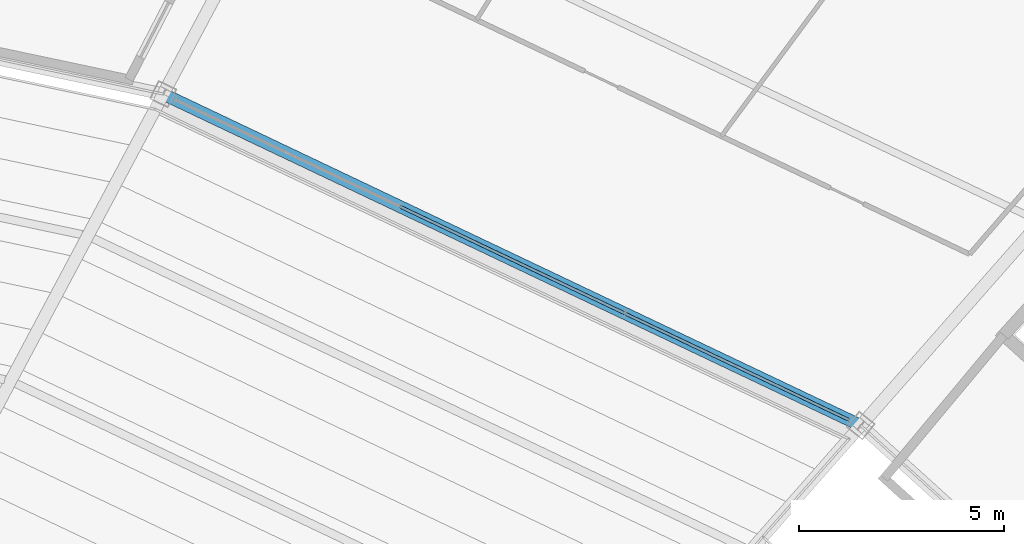
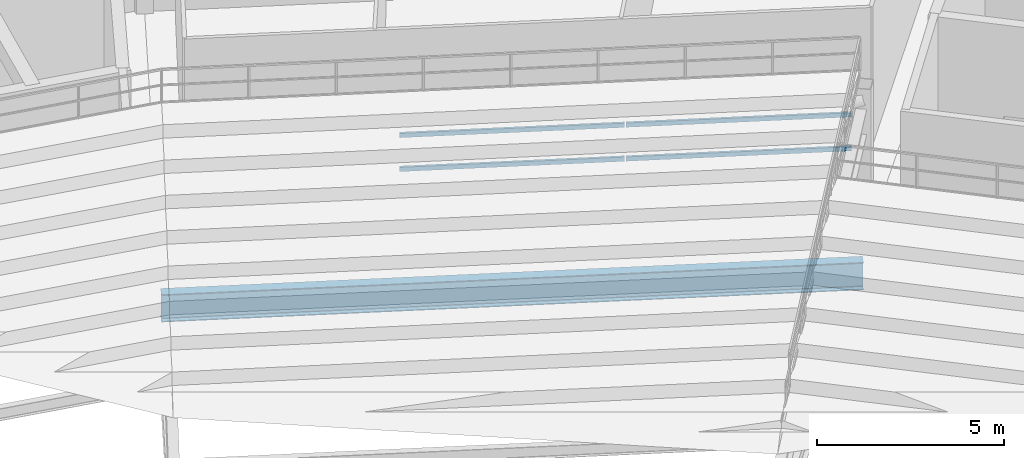
# One storey, part 109 of 186: 4 members, 1 beam, 1 element without a shape of its own.
"""IFC4 building model written with IfcOpenShell, lengths in metres."""

from ifc_helpers import new_model, si_unit, direction, frame, origin, origin_2d, place, context, subcontext, project, spatial, hollow_rectangle, i_section, extrude, material, layer, layer_set, material_profile, profile_set, type_object, element, aggregate, save


model = new_model("IFC4")

# Units and contexts
model_context = context("Model", 3, precision=1e-05, world=origin(), true_north=direction((0.0, 1.0)))
body_context = subcontext(model_context, "Body", "Model", "MODEL_VIEW")
ifc_project = project(units=[si_unit("LENGTHUNIT", "METRE"), si_unit("AREAUNIT", "SQUARE_METRE"), si_unit("VOLUMEUNIT", "CUBIC_METRE"), si_unit("PLANEANGLEUNIT", "RADIAN"), si_unit("MASSUNIT", "GRAM", prefix="KILO")], contexts=[model_context])

# Site, building, storey
site_placement = place(None, origin())
site = spatial("IfcSite", under=ifc_project, at=site_placement, CompositionType="ELEMENT")
building_placement = place(site_placement, origin())
building = spatial("IfcBuilding", under=site, at=building_placement, Name="Kazemori Nagisa Stadium", CompositionType="ELEMENT")
storey_placement = place(building_placement, frame((0.0, 0.0, 20.39990234375)))
storey = spatial("IfcBuildingStorey", under=building, at=storey_placement, Name="L04", CompositionType="ELEMENT", Elevation=20.39990234375)

# Beam
ifc_material_1 = material(Name="Steel SN490B", Category="steel")
ifc_material_profile_1 = material_profile(ifc_material_1, i_section(OverallWidth=0.300048828125, OverallDepth=0.89990234375, WebThickness=0.01611328125, FlangeThickness=0.028076171875, FilletRadius=0.01806640625, at=origin_2d()), Name="H-900x300x16x28")
ifc_profile_set_1 = profile_set([ifc_material_profile_1], Name="Steel SN490B")
beam_type = type_object("IfcBeamType", Name="Beam_BG-H900", PredefinedType="BEAM", material=ifc_profile_set_1)
beam_placement = place(storey_placement, frame((176.834228515625, 163.11083984375, -0.75), z_axis=(-0.90321938295, 0.42917915404, 0.0), x_axis=(-0.42917915404, -0.90321938295, 0.0)))
element("IfcBeam", 1, at=beam_placement, inside=storey, type_object=beam_type, Name="Ring girder BG-H900 L04 R2-05", PredefinedType="BEAM", context=body_context, shape_type="SweptSolid", body=[
    extrude(i_section(OverallWidth=0.300048828125, OverallDepth=0.89990234375, WebThickness=0.01611328125, FlangeThickness=0.028076171875, FilletRadius=0.01806640625, at=origin_2d()), origin(), (0.0, 0.0, 1.0), 18.84619140625),
])

# Curtain wall, members
ifc_material_2 = material(Name="Anodised aluminium 6063-T5", Category="aluminium")
ifc_layer = layer(ifc_material_2, 0.179931640625, Name="Anodised aluminium 6063-T5", Category="aluminium")
ifc_layer_set = layer_set([ifc_layer], Name="Anodised aluminium 6063-T5")
curtain_wall_type = type_object("IfcCurtainWallType", Name="CW_L04B_92", PredefinedType="USERDEFINED", material=ifc_layer_set)
curtain_wall_placement = place(storey_placement, origin())
curtain_wall = element("IfcCurtainWall", 2, at=curtain_wall_placement, inside=storey, type_object=curtain_wall_type, Name="Unitised curtain wall CW-L04B-92 L04", ObjectType="UNITISED CURTAIN WALL", PredefinedType="USERDEFINED")
ifc_material_3 = material(Name="Aluminium 6063-T5 anodised", Category="aluminium")
ifc_material_profile_2 = material_profile(ifc_material_3, hollow_rectangle(XDim=0.070068359375, YDim=0.139892578125, WallThickness=0.00390625, at=origin_2d()), Name="ALU-TRAN-70x140x4")
ifc_profile_set_2 = profile_set([ifc_material_profile_2], Name="Aluminium 6063-T5 anodised")
member_type = type_object("IfcMemberType", Name="Transom_T01", PredefinedType="USERDEFINED", material=ifc_profile_set_2)
member_1_placement = place(storey_placement, frame((176.5498046875, 163.245849609375, 3.352294921875), z_axis=(-0.90321254302, 0.429193548566, 0.0), x_axis=(-0.429193548566, -0.90321254302, 0.0)))
member_1 = element("IfcMember", 3, at=member_1_placement, type_object=member_type, Name="Curtain wall transom CW-L04B-92-T1-mid", ObjectType="TRANSOM", PredefinedType="USERDEFINED", context=body_context, shape_type="SweptSolid", body=[
    extrude(hollow_rectangle(XDim=0.070068359375, YDim=0.139892578125, WallThickness=0.00390625, at=origin_2d()), origin(), (0.0, 0.0, 1.0), 6.045654296875),
])
member_2_placement = place(storey_placement, frame((176.5498046875, 163.245849609375, 4.460205078125), z_axis=(-0.90321254302, 0.429193548566, 0.0), x_axis=(-0.429193548566, -0.90321254302, 0.0)))
member_2 = element("IfcMember", 4, at=member_2_placement, type_object=member_type, Name="Curtain wall transom CW-L04B-92-T1-head", ObjectType="TRANSOM", PredefinedType="USERDEFINED", context=body_context, shape_type="SweptSolid", body=[
    extrude(hollow_rectangle(XDim=0.070068359375, YDim=0.139892578125, WallThickness=0.00390625, at=origin_2d()), origin(), (0.0, 0.0, 1.0), 6.045654296875),
])
member_3_placement = place(storey_placement, frame((171.05322265625, 165.857666015625, 3.352294921875), z_axis=(-0.903205103726, 0.429209203774, 0.0), x_axis=(-0.429209203774, -0.903205103726, 0.0)))
member_3 = element("IfcMember", 5, at=member_3_placement, type_object=member_type, Name="Curtain wall transom CW-L04B-92-T2-mid", ObjectType="TRANSOM", PredefinedType="USERDEFINED", context=body_context, shape_type="SweptSolid", body=[
    extrude(hollow_rectangle(XDim=0.070068359375, YDim=0.139892578125, WallThickness=0.00390625, at=origin_2d()), origin(), (0.0, 0.0, 1.0), 6.04541015625),
])
member_4_placement = place(storey_placement, frame((171.05322265625, 165.857666015625, 4.460205078125), z_axis=(-0.903205103726, 0.429209203774, 0.0), x_axis=(-0.429209203774, -0.903205103726, 0.0)))
member_4 = element("IfcMember", 6, at=member_4_placement, type_object=member_type, Name="Curtain wall transom CW-L04B-92-T2-head", ObjectType="TRANSOM", PredefinedType="USERDEFINED", context=body_context, shape_type="SweptSolid", body=[
    extrude(hollow_rectangle(XDim=0.070068359375, YDim=0.139892578125, WallThickness=0.00390625, at=origin_2d()), origin(), (0.0, 0.0, 1.0), 6.04541015625),
])
aggregate(curtain_wall, [member_1, member_2, member_3, member_4])

save(model, "model.ifc")
